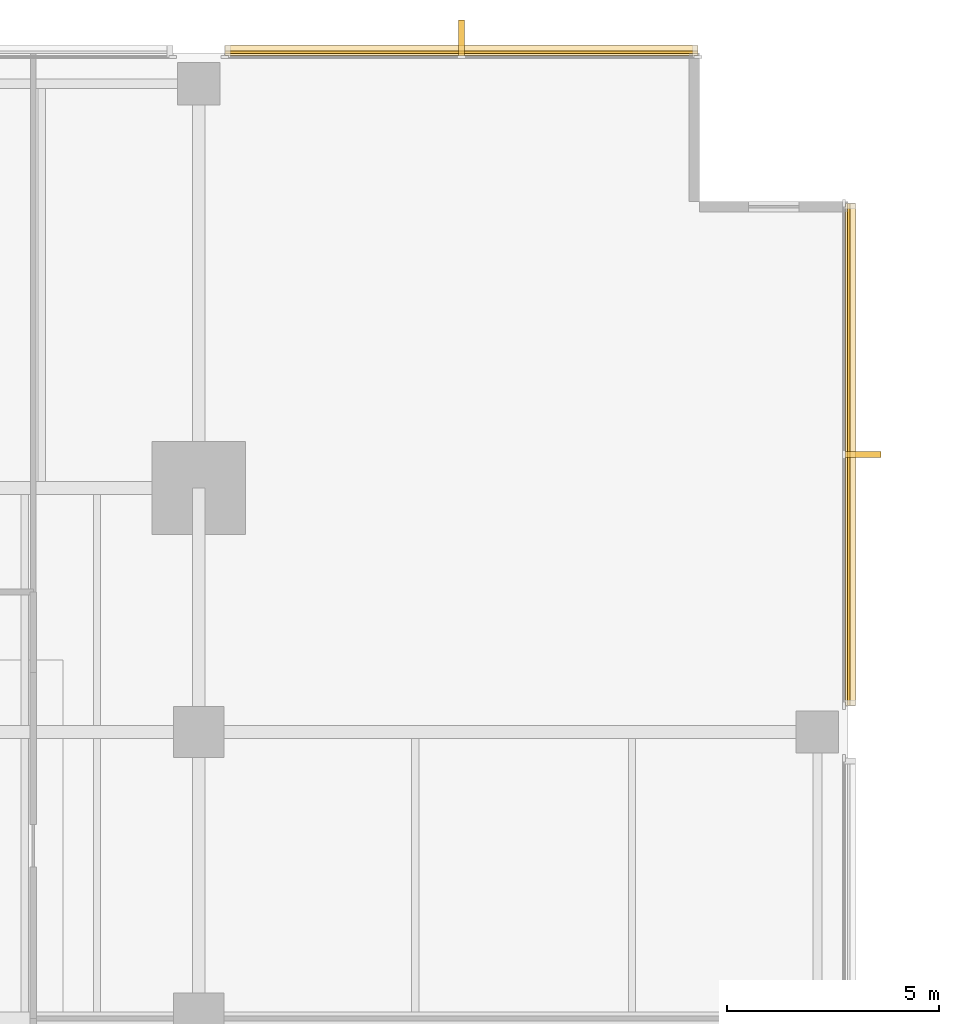
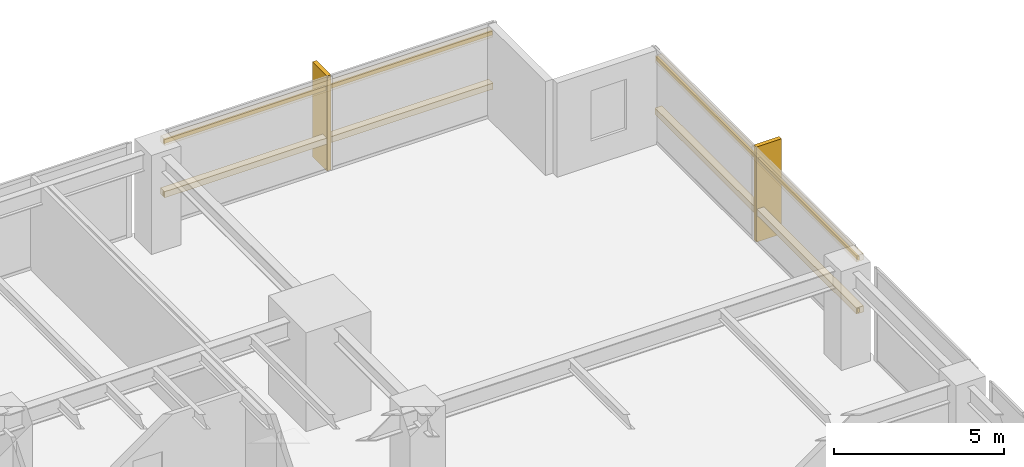
# One storey, part 15 of 15: 6 coverings, 4 shading devices.
"""IFC4 building model written with IfcOpenShell, lengths in metres."""

from ifc_helpers import new_model, si_unit, direction, frame, origin, origin_2d, place, context, subcontext, project, spatial, polyline, rectangle, outline, extrude, material, layer, layer_set, material_profile, profile_set, type_object, element, save


model = new_model("IFC4")

# Units and contexts
model_context = context("Model", 3, precision=1e-05, world=origin(), true_north=direction((0.0, 1.0)))
body_context = subcontext(model_context, "Body", "Model", "MODEL_VIEW")
ifc_project = project(units=[si_unit("LENGTHUNIT", "METRE"), si_unit("AREAUNIT", "SQUARE_METRE"), si_unit("VOLUMEUNIT", "CUBIC_METRE"), si_unit("PLANEANGLEUNIT", "RADIAN"), si_unit("MASSUNIT", "GRAM", prefix="KILO")], contexts=[model_context])

# Site, building, storey
site_placement = place(None, origin())
site = spatial("IfcSite", under=ifc_project, at=site_placement, CompositionType="ELEMENT")
building_placement = place(site_placement, origin())
building = spatial("IfcBuilding", under=site, at=building_placement, Name="Kinhvarn Gate Tower", CompositionType="ELEMENT")
storey_placement = place(building_placement, frame((0.0, 0.0, 39.800048828125)))
storey = spatial("IfcBuildingStorey", under=building, at=storey_placement, Name="L09", CompositionType="ELEMENT", Elevation=39.800048828125)

# Coverings
ifc_material = material(Name="Fired architectural terracotta", Category="masonry")
ifc_layer_1 = layer(ifc_material, 0.239990234375)
ifc_layer_set_1 = layer_set([ifc_layer_1], Name="Fired architectural terracotta")
covering_type_1 = type_object("IfcCoveringType", Name="COV-BAG-220", PredefinedType="CLADDING", material=ifc_layer_set_1)
for number, where, name in (
    (1, (0.0, 0.0, 0.93994140625), "Terracotta Horizontal Sunscreen Band TBG-220 (L09)"),
    (2, (0.0, 0.0, 2.81005859375), "Terracotta Horizontal Sunscreen Band TBG-220 (L09)"),
):
    element("IfcCovering", number, at=place(storey_placement, frame(where)), inside=storey, type_object=covering_type_1, Name=name, PredefinedType="CLADDING", context=body_context, shape_type="SweptSolid", body=[
        extrude(outline(polyline([(49.9599609375, 47.93994140625), (38.820068359375, 47.93994140625), (38.820068359375, 48.179931640625), (49.9599609375, 48.179931640625), (49.9599609375, 47.93994140625)])), origin(), (0.0, 0.0, 1.0), 0.219970703125),
    ])
for number, where, name in (
    (3, (0.0, 0.0, 0.93994140625), "Terracotta Horizontal Sunscreen Band TBG-220 (L09)"),
    (4, (0.0, 0.0, 2.81005859375), "Terracotta Horizontal Sunscreen Band TBG-220 (L09)"),
):
    element("IfcCovering", number, at=place(storey_placement, frame(where)), inside=storey, type_object=covering_type_1, Name=name, PredefinedType="CLADDING", context=body_context, shape_type="SweptSolid", body=[
        extrude(outline(polyline([(53.43994140625, 32.6201171875), (53.43994140625, 44.4599609375), (53.679931640625, 44.4599609375), (53.679931640625, 32.6201171875), (53.43994140625, 32.6201171875)])), origin(), (0.0, 0.0, 1.0), 0.219970703125),
    ])
ifc_layer_2 = layer(ifc_material, 0.139892578125)
ifc_layer_set_2 = layer_set([ifc_layer_2], Name="Fired architectural terracotta")
covering_type_2 = type_object("IfcCoveringType", Name="COV-FIN-850", PredefinedType="CLADDING", material=ifc_layer_set_2)
covering_1_placement = place(storey_placement, frame((0.0, 0.0, -0.02001953125)))
element("IfcCovering", 5, at=covering_1_placement, inside=storey, type_object=covering_type_2, Name="Vertical Terracotta Expressive Fin TFN-850 (L09)", PredefinedType="CLADDING", context=body_context, shape_type="SweptSolid", body=[
    extrude(outline(polyline([(44.4599609375, 47.929931640625), (44.320068359375, 47.929931640625), (44.320068359375, 48.780029296875), (44.4599609375, 48.780029296875), (44.4599609375, 47.929931640625)])), origin(), (0.0, 0.0, 1.0), 3.409912109375),
])
covering_2_placement = place(storey_placement, frame((0.0, 0.0, -0.02001953125)))
element("IfcCovering", 6, at=covering_2_placement, inside=storey, type_object=covering_type_2, Name="Vertical Terracotta Expressive Fin TFN-850 (L09)", PredefinedType="CLADDING", context=body_context, shape_type="SweptSolid", body=[
    extrude(outline(polyline([(53.429931640625, 38.469970703125), (53.429931640625, 38.610107421875), (54.280029296875, 38.610107421875), (54.280029296875, 38.469970703125), (53.429931640625, 38.469970703125)])), origin(), (0.0, 0.0, 1.0), 3.409912109375),
])

# Shading devices
ifc_material_profile = material_profile(ifc_material, rectangle(XDim=0.06005859375, YDim=0.139892578125, at=origin_2d()), Name="TC 60x140")
ifc_profile_set = profile_set([ifc_material_profile], Name="Fired architectural terracotta")
shading_device_type = type_object("IfcShadingDeviceType", Name="SHD-BAG-180", PredefinedType="USERDEFINED", material=ifc_profile_set)
for number, where, z_axis, x_axis, name in (
    (7, (49.9599609375, 48.014892578125, 1.050048828125), (-1.0, 0.0, 0.0), (0.0, -1.0, 0.0), "Fired Terracotta Baguette Screen Rod 60x140 mm (L09)"),
    (8, (49.9599609375, 48.014892578125, 2.919921875), (-1.0, 0.0, 0.0), (0.0, -1.0, 0.0), "Fired Terracotta Baguette Screen Rod 60x140 mm (L09)"),
):
    element("IfcShadingDevice", number, at=place(storey_placement, frame(where, z_axis=z_axis, x_axis=x_axis)), inside=storey, type_object=shading_device_type, Name=name, ObjectType="BAGUETTE", PredefinedType="USERDEFINED", context=body_context, shape_type="SweptSolid", body=[
        extrude(rectangle(XDim=0.06005859375, YDim=0.139892578125, at=origin_2d()), origin(), (0.0, 0.0, 1.0), 11.139892578125),
    ])
for number, where, z_axis, x_axis, name in (
    (9, (53.514892578125, 32.6201171875, 1.050048828125), (0.0, 1.0, 0.0), (-1.0, 0.0, 0.0), "Fired Terracotta Baguette Screen Rod 60x140 mm (L09)"),
    (10, (53.514892578125, 32.6201171875, 2.919921875), (0.0, 1.0, 0.0), (-1.0, 0.0, 0.0), "Fired Terracotta Baguette Screen Rod 60x140 mm (L09)"),
):
    element("IfcShadingDevice", number, at=place(storey_placement, frame(where, z_axis=z_axis, x_axis=x_axis)), inside=storey, type_object=shading_device_type, Name=name, ObjectType="BAGUETTE", PredefinedType="USERDEFINED", context=body_context, shape_type="SweptSolid", body=[
        extrude(rectangle(XDim=0.06005859375, YDim=0.139892578125, at=origin_2d()), origin(), (0.0, 0.0, 1.0), 11.83984375),
    ])

save(model, "model.ifc")
